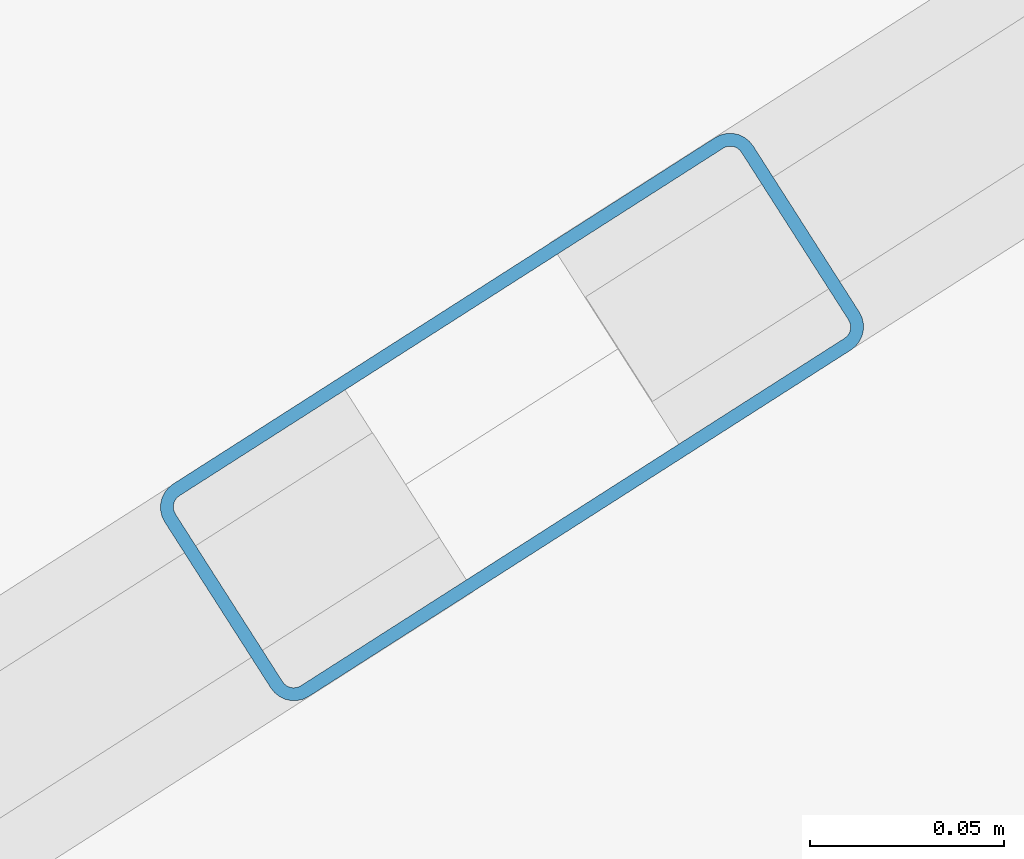
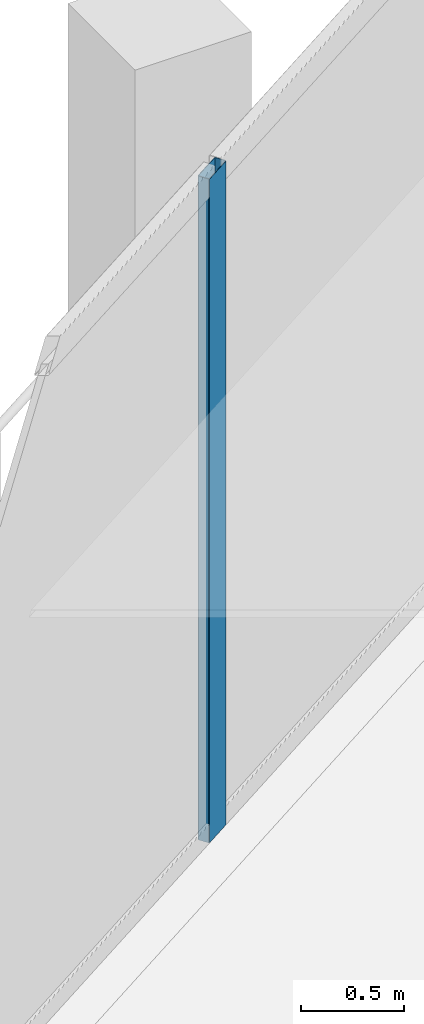
# One storey, part 14 of 43: 1 member, 1 element without a shape of its own.
"""IFC4 building model written with IfcOpenShell, lengths in metres."""

from ifc_helpers import new_model, si_unit, direction, frame, origin, origin_2d, place, context, subcontext, project, spatial, hollow_rectangle, extrude, material, layer, layer_set, material_profile, profile_set, type_object, element, aggregate, save


model = new_model("IFC4")

# Units and contexts
model_context = context("Model", 3, precision=1e-05, world=origin(), true_north=direction((0.0, 1.0)))
body_context = subcontext(model_context, "Body", "Model", "MODEL_VIEW")
ifc_project = project(units=[si_unit("LENGTHUNIT", "METRE"), si_unit("AREAUNIT", "SQUARE_METRE"), si_unit("VOLUMEUNIT", "CUBIC_METRE"), si_unit("PLANEANGLEUNIT", "RADIAN"), si_unit("MASSUNIT", "GRAM", prefix="KILO")], contexts=[model_context])

# Site, building, storey
site_placement = place(None, origin())
site = spatial("IfcSite", under=ifc_project, at=site_placement, CompositionType="ELEMENT")
building_placement = place(site_placement, origin())
building = spatial("IfcBuilding", under=site, at=building_placement, Name="Qorvath Tower", CompositionType="ELEMENT")
storey_placement = place(building_placement, frame((0.0, 0.0, 36.60009765625)))
storey = spatial("IfcBuildingStorey", under=building, at=storey_placement, Name="L07", CompositionType="ELEMENT", Elevation=36.60009765625)

# Curtain wall, member
ifc_material_1 = material(Name="Anodised aluminium and triple low-E glass", Category="aluminium")
ifc_layer = layer(ifc_material_1, 0.179931640625)
ifc_layer_set = layer_set([ifc_layer], Name="CW-SYS-2")
curtain_wall_type = type_object("IfcCurtainWallType", Name="CW-SYS-2", PredefinedType="NOTDEFINED", material=ifc_layer_set)
curtain_wall_placement = place(storey_placement, origin())
curtain_wall = element("IfcCurtainWall", 1, at=curtain_wall_placement, inside=storey, type_object=curtain_wall_type, Name="Curtain Wall CW-2 CW-T-L07-16.3", PredefinedType="NOTDEFINED")
ifc_material_2 = material(Name="Anodised aluminium 6063-T6", Category="aluminium")
ifc_material_profile = material_profile(ifc_material_2, hollow_rectangle(XDim=0.06494140625, YDim=0.179931640625, WallThickness=0.00341796875, InnerFilletRadius=0.00341796875, OuterFilletRadius=0.007080078125, at=origin_2d()), Name="CWM 180x65")
ifc_profile_set = profile_set([ifc_material_profile], Name="Anodised aluminium 6063-T6")
member_type = type_object("IfcMemberType", Name="CWM-180", PredefinedType="MULLION", material=ifc_profile_set)
member_placement = place(storey_placement, frame((-45.75244140625, 13.89501953125, 0.0), z_axis=(0.0, 0.0, 1.0), x_axis=(0.538528741164, -0.84260714152, 0.0)))
member = element("IfcMember", 2, at=member_placement, type_object=member_type, Name="CW-2 mullion 2", PredefinedType="MULLION", context=body_context, shape_type="SweptSolid", body=[
    extrude(hollow_rectangle(XDim=0.06494140625, YDim=0.179931640625, WallThickness=0.00341796875, InnerFilletRadius=0.00341796875, OuterFilletRadius=0.007080078125, at=origin_2d()), origin(), (0.0, 0.0, 1.0), 3.919921875),
])
aggregate(curtain_wall, [member])

save(model, "model.ifc")
